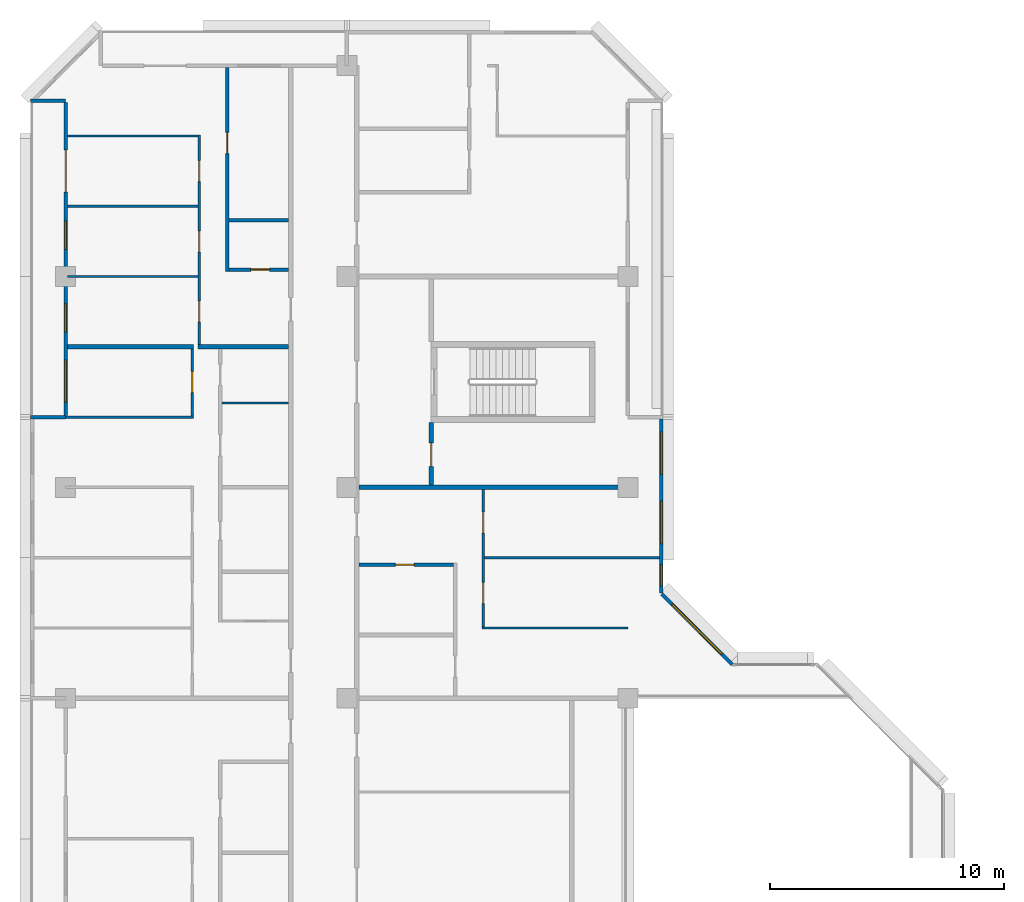
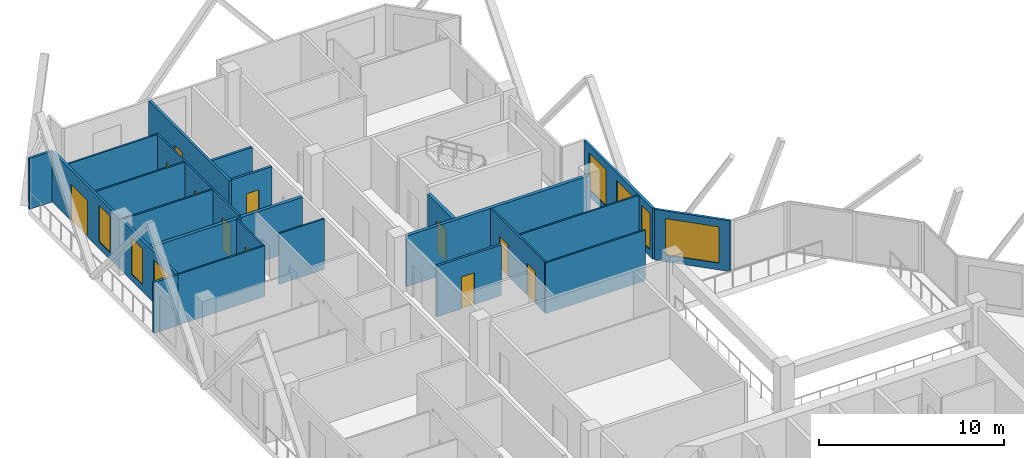
# One storey, part 10 of 16: 23 walls, 11 doors, 7 windows, 18 openings.
"""IFC4 building model written with IfcOpenShell, lengths in metres."""

from ifc_helpers import new_model, si_unit, direction, frame, frame_2d, origin, place, context, subcontext, project, spatial, rectangle, extrude, material, layer, layer_set, type_object, element, fill, save


model = new_model("IFC4")

# Units and contexts
model_context = context("Model", 3, precision=1e-05, world=origin(), true_north=direction((0.0, 1.0)))
body_context = subcontext(model_context, "Body", "Model", "MODEL_VIEW")
ifc_project = project(units=[si_unit("LENGTHUNIT", "METRE"), si_unit("AREAUNIT", "SQUARE_METRE"), si_unit("VOLUMEUNIT", "CUBIC_METRE"), si_unit("PLANEANGLEUNIT", "RADIAN"), si_unit("MASSUNIT", "GRAM", prefix="KILO")], contexts=[model_context])

# Site, building, storey
site_placement = place(None, origin())
site = spatial("IfcSite", under=ifc_project, at=site_placement, CompositionType="ELEMENT")
building_placement = place(site_placement, origin())
building = spatial("IfcBuilding", under=site, at=building_placement, Name="Chenar Terraces", CompositionType="ELEMENT")
storey_placement = place(building_placement, frame((0.0, 0.0, 219.14990234375)))
storey = spatial("IfcBuildingStorey", under=building, at=storey_placement, Name="L51", CompositionType="ELEMENT", Elevation=219.14990234375)

# Wall, opening, door
ifc_material_1 = material(Name="Gypsum board on steel studs with fire boards", Category="steel")
ifc_layer_1 = layer(ifc_material_1, 0.199951171875)
ifc_layer_set_1 = layer_set([ifc_layer_1], Name="Gypsum board on steel studs with fire boards")
wall_type_1 = type_object("IfcWallType", Name="Corridor wall 200", PredefinedType="PARTITIONING", material=ifc_layer_set_1)
wall_1_placement = place(storey_placement, frame((15.60009765625, 45.10009765625, 0.0), z_axis=(0.0, 0.0, 1.0), x_axis=(0.0, 1.0, 0.0)))
wall_1 = element("IfcWall", 1, at=wall_1_placement, inside=storey, type_object=wall_type_1, Name="Partition L51-047", PredefinedType="PARTITIONING", context=body_context, shape_type="SweptSolid", body=[
    extrude(rectangle(XDim=2.6748046875, YDim=0.199951171875, at=frame_2d((1.33740234375, 0.0))), origin(), (0.0, 0.0, 1.0), 3.35009765625),
])
opening_1_placement = place(wall_1_placement, frame((0.800048828125, 0.0, 0.0)))
opening_1 = element("IfcOpeningElement", 2, at=opening_1_placement, cuts=wall_1, Name="Opening DL51-43", PredefinedType="OPENING", context=body_context, shape_type="SweptSolid", body=[
    extrude(rectangle(XDim=1.0, YDim=2.10009765625, at=frame_2d((0.5, 1.050048828125))), frame((0.0, 0.10986328125, 0.0), z_axis=(0.0, -1.0, 0.0), x_axis=(1.0, 0.0, 0.0)), (0.0, 0.0, 1.0), 0.219970703125),
])
ifc_material_2 = material(Name="Steel-framed fire-resisting door leaf", Category="steel")
door_type_1 = type_object("IfcDoorType", Name="Fire door FD60 1000 x 2100", OperationType="SINGLE_SWING_LEFT", PredefinedType="DOOR", material=ifc_material_2)
door_1_placement = place(opening_1_placement, frame((1.0, 0.0, 0.0), z_axis=(0.0, 0.0, 1.0), x_axis=(-1.0, 0.0, 0.0)))
door_1 = element("IfcDoor", 3, at=door_1_placement, inside=storey, type_object=door_type_1, Name="Door DL51-43", OperationType="SINGLE_SWING_RIGHT", OverallHeight=2.10009765625, OverallWidth=1.0, PredefinedType="DOOR", context=body_context, shape_type="SweptSolid", body=[
    extrude(rectangle(XDim=1.0, YDim=2.10009765625, at=frame_2d((0.5, 1.050048828125))), frame((0.0, 0.02490234375, 0.0), z_axis=(0.0, -1.0, 0.0), x_axis=(1.0, 0.0, 0.0)), (0.0, 0.0, 1.0), 0.050048828125),
])
fill(opening_1, door_1)

# Wall, openings, windows
ifc_material_3 = material(Name="Aluminium framed glazing", Category="aluminium")
ifc_layer_2 = layer(ifc_material_3, 0.14990234375)
ifc_layer_set_2 = layer_set([ifc_layer_2], Name="Aluminium framed glazing")
wall_type_2 = type_object("IfcWallType", Name="Glazed flush facade wall 150", PredefinedType="SOLIDWALL", material=ifc_layer_set_2)
wall_2_placement = place(storey_placement, frame((25.425048828125, 40.5, 0.0), z_axis=(0.0, 0.0, 1.0), x_axis=(0.0, 1.0, 0.0)))
wall_2 = element("IfcWall", 4, at=wall_2_placement, inside=storey, type_object=wall_type_2, Name="Glazed flush facade wall", PredefinedType="SOLIDWALL", context=body_context, shape_type="SweptSolid", body=[
    extrude(rectangle(XDim=7.425048828125, YDim=0.14990234375, at=frame_2d((3.71240234375, 0.0))), origin(), (0.0, 0.0, 1.0), 3.35009765625),
])
opening_2_placement = place(wall_2_placement, frame((0.300048828125, 0.0, 0.449951171875)))
opening_2 = element("IfcOpeningElement", 5, at=opening_2_placement, cuts=wall_2, Name="Opening W90x240", PredefinedType="OPENING", context=body_context, shape_type="SweptSolid", body=[
    extrude(rectangle(XDim=0.89990234375, YDim=2.39990234375, at=frame_2d((0.449951171875, 1.199951171875))), frame((0.0, 0.0849609375, 0.0), z_axis=(0.0, -1.0, 0.0), x_axis=(1.0, 0.0, 0.0)), (0.0, 0.0, 1.0), 0.169921875),
])
opening_3_placement = place(wall_2_placement, frame((2.10009765625, 0.0, 0.449951171875)))
opening_3 = element("IfcOpeningElement", 6, at=opening_3_placement, cuts=wall_2, Name="Opening W180x240", PredefinedType="OPENING", context=body_context, shape_type="SweptSolid", body=[
    extrude(rectangle(XDim=1.800048828125, YDim=2.39990234375, at=frame_2d((0.89990234375, 1.199951171875))), frame((0.0, 0.0849609375, 0.0), z_axis=(0.0, -1.0, 0.0), x_axis=(1.0, 0.0, 0.0)), (0.0, 0.0, 1.0), 0.169921875),
])
opening_4_placement = place(wall_2_placement, frame((5.0625, 0.0, 0.449951171875)))
opening_4 = element("IfcOpeningElement", 7, at=opening_4_placement, cuts=wall_2, Name="Opening W180x240", PredefinedType="OPENING", context=body_context, shape_type="SweptSolid", body=[
    extrude(rectangle(XDim=1.800048828125, YDim=2.39990234375, at=frame_2d((0.89990234375, 1.199951171875))), frame((0.0, 0.0849609375, 0.0), z_axis=(0.0, -1.0, 0.0), x_axis=(1.0, 0.0, 0.0)), (0.0, 0.0, 1.0), 0.169921875),
])
ifc_material_4 = material(Name="Low emissivity double glazing, aluminium frame", Category="aluminium")
window_type_1 = type_object("IfcWindowType", Name="Fixed light 1800 x 2400", PartitioningType="SINGLE_PANEL", PredefinedType="WINDOW", material=ifc_material_4)
window_1_placement = place(opening_3_placement, origin())
window_1 = element("IfcWindow", 8, at=window_1_placement, inside=storey, type_object=window_type_1, Name="Window", OverallHeight=2.39990234375, OverallWidth=1.800048828125, PartitioningType="SINGLE_PANEL", PredefinedType="WINDOW", context=body_context, shape_type="SweptSolid", body=[
    extrude(rectangle(XDim=1.800048828125, YDim=2.39990234375, at=frame_2d((0.89990234375, 1.199951171875))), frame((0.0, 0.030029296875, 0.0), z_axis=(0.0, -1.0, 0.0), x_axis=(1.0, 0.0, 0.0)), (0.0, 0.0, 1.0), 0.06005859375),
])
fill(opening_3, window_1)
window_2_placement = place(opening_4_placement, origin())
window_2 = element("IfcWindow", 9, at=window_2_placement, inside=storey, type_object=window_type_1, Name="Window", OverallHeight=2.39990234375, OverallWidth=1.800048828125, PartitioningType="SINGLE_PANEL", PredefinedType="WINDOW", context=body_context, shape_type="SweptSolid", body=[
    extrude(rectangle(XDim=1.800048828125, YDim=2.39990234375, at=frame_2d((0.89990234375, 1.199951171875))), frame((0.0, 0.030029296875, 0.0), z_axis=(0.0, -1.0, 0.0), x_axis=(1.0, 0.0, 0.0)), (0.0, 0.0, 1.0), 0.06005859375),
])
fill(opening_4, window_2)
ifc_material_5 = material(Name="Low emissivity double glazing, aluminium frame", Category="aluminium")
window_type_2 = type_object("IfcWindowType", Name="Fixed light 900 x 2400", PartitioningType="SINGLE_PANEL", PredefinedType="WINDOW", material=ifc_material_5)
window_3_placement = place(opening_2_placement, origin())
window_3 = element("IfcWindow", 10, at=window_3_placement, inside=storey, type_object=window_type_2, Name="Window", OverallHeight=2.39990234375, OverallWidth=0.89990234375, PartitioningType="SINGLE_PANEL", PredefinedType="WINDOW", context=body_context, shape_type="SweptSolid", body=[
    extrude(rectangle(XDim=0.89990234375, YDim=2.39990234375, at=frame_2d((0.449951171875, 1.199951171875))), frame((0.0, 0.030029296875, 0.0), z_axis=(0.0, -1.0, 0.0), x_axis=(1.0, 0.0, 0.0)), (0.0, 0.0, 1.0), 0.06005859375),
])
fill(opening_2, window_3)

# Wall, openings, windows, door
ifc_material_6 = material(Name="Aluminium framed glazing", Category="aluminium")
ifc_layer_3 = layer(ifc_material_6, 0.14990234375)
ifc_layer_set_3 = layer_set([ifc_layer_3], Name="Aluminium framed glazing")
wall_type_3 = type_object("IfcWallType", Name="Glazed loggia back wall 150", PredefinedType="SOLIDWALL", material=ifc_layer_set_3)
wall_3_placement = place(storey_placement, frame((0.0, 61.425048828125, 0.0), z_axis=(0.0, 0.0, 1.0), x_axis=(0.0, -1.0, 0.0)))
wall_3 = element("IfcWall", 11, at=wall_3_placement, inside=storey, type_object=wall_type_3, Name="Glazed loggia back wall", PredefinedType="SOLIDWALL", context=body_context, shape_type="SweptSolid", body=[
    extrude(rectangle(XDim=13.35009765625, YDim=0.14990234375, at=frame_2d((6.675048828125, 0.0))), origin(), (0.0, 0.0, 1.0), 3.35009765625),
])
opening_5_placement = place(wall_3_placement, frame((2.02490234375, 0.0, 0.0)))
opening_5 = element("IfcOpeningElement", 12, at=opening_5_placement, cuts=wall_3, Name="Opening DL51-G4", PredefinedType="OPENING", context=body_context, shape_type="SweptSolid", body=[
    extrude(rectangle(XDim=1.800048828125, YDim=2.39990234375, at=frame_2d((0.89990234375, 1.199951171875))), frame((0.0, 0.0849609375, 0.0), z_axis=(0.0, -1.0, 0.0), x_axis=(1.0, 0.0, 0.0)), (0.0, 0.0, 1.0), 0.169921875),
])
opening_6_placement = place(wall_3_placement, frame((5.0625, 0.0, 0.449951171875)))
opening_6 = element("IfcOpeningElement", 13, at=opening_6_placement, cuts=wall_3, Name="Opening W120x240", PredefinedType="OPENING", context=body_context, shape_type="SweptSolid", body=[
    extrude(rectangle(XDim=1.199951171875, YDim=2.39990234375, at=frame_2d((0.60009765625, 1.199951171875))), frame((0.0, 0.0849609375, 0.0), z_axis=(0.0, -1.0, 0.0), x_axis=(1.0, 0.0, 0.0)), (0.0, 0.0, 1.0), 0.169921875),
])
opening_7_placement = place(wall_3_placement, frame((8.58740234375, 0.0, 0.449951171875)))
opening_7 = element("IfcOpeningElement", 14, at=opening_7_placement, cuts=wall_3, Name="Opening W120x240", PredefinedType="OPENING", context=body_context, shape_type="SweptSolid", body=[
    extrude(rectangle(XDim=1.199951171875, YDim=2.39990234375, at=frame_2d((0.60009765625, 1.199951171875))), frame((0.0, 0.0849609375, 0.0), z_axis=(0.0, -1.0, 0.0), x_axis=(1.0, 0.0, 0.0)), (0.0, 0.0, 1.0), 0.169921875),
])
opening_8_placement = place(wall_3_placement, frame((10.987548828125, 0.0, 0.449951171875)))
opening_8 = element("IfcOpeningElement", 15, at=opening_8_placement, cuts=wall_3, Name="Opening W180x240", PredefinedType="OPENING", context=body_context, shape_type="SweptSolid", body=[
    extrude(rectangle(XDim=1.800048828125, YDim=2.39990234375, at=frame_2d((0.89990234375, 1.199951171875))), frame((0.0, 0.0849609375, 0.0), z_axis=(0.0, -1.0, 0.0), x_axis=(1.0, 0.0, 0.0)), (0.0, 0.0, 1.0), 0.169921875),
])
ifc_material_7 = material(Name="Low emissivity double glazing, aluminium frame", Category="aluminium")
window_type_3 = type_object("IfcWindowType", Name="Fixed light 1200 x 2400", PartitioningType="SINGLE_PANEL", PredefinedType="WINDOW", material=ifc_material_7)
window_4_placement = place(opening_6_placement, origin())
window_4 = element("IfcWindow", 16, at=window_4_placement, inside=storey, type_object=window_type_3, Name="Window", OverallHeight=2.39990234375, OverallWidth=1.199951171875, PartitioningType="SINGLE_PANEL", PredefinedType="WINDOW", context=body_context, shape_type="SweptSolid", body=[
    extrude(rectangle(XDim=1.199951171875, YDim=2.39990234375, at=frame_2d((0.60009765625, 1.199951171875))), frame((0.0, 0.030029296875, 0.0), z_axis=(0.0, -1.0, 0.0), x_axis=(1.0, 0.0, 0.0)), (0.0, 0.0, 1.0), 0.06005859375),
])
fill(opening_6, window_4)
window_5_placement = place(opening_7_placement, origin())
window_5 = element("IfcWindow", 17, at=window_5_placement, inside=storey, type_object=window_type_3, Name="Window", OverallHeight=2.39990234375, OverallWidth=1.199951171875, PartitioningType="SINGLE_PANEL", PredefinedType="WINDOW", context=body_context, shape_type="SweptSolid", body=[
    extrude(rectangle(XDim=1.199951171875, YDim=2.39990234375, at=frame_2d((0.60009765625, 1.199951171875))), frame((0.0, 0.030029296875, 0.0), z_axis=(0.0, -1.0, 0.0), x_axis=(1.0, 0.0, 0.0)), (0.0, 0.0, 1.0), 0.06005859375),
])
fill(opening_7, window_5)
window_6_placement = place(opening_8_placement, origin())
window_6 = element("IfcWindow", 18, at=window_6_placement, inside=storey, type_object=window_type_1, Name="Window", OverallHeight=2.39990234375, OverallWidth=1.800048828125, PartitioningType="SINGLE_PANEL", PredefinedType="WINDOW", context=body_context, shape_type="SweptSolid", body=[
    extrude(rectangle(XDim=1.800048828125, YDim=2.39990234375, at=frame_2d((0.89990234375, 1.199951171875))), frame((0.0, 0.030029296875, 0.0), z_axis=(0.0, -1.0, 0.0), x_axis=(1.0, 0.0, 0.0)), (0.0, 0.0, 1.0), 0.06005859375),
])
fill(opening_8, window_6)
ifc_material_8 = material(Name="Low emissivity double glazing, aluminium frame", Category="aluminium")
door_type_2 = type_object("IfcDoorType", Name="Loggia glazed double door 1800 x 2400", OperationType="DOUBLE_DOOR_SINGLE_SWING", PredefinedType="DOOR", material=ifc_material_8)
door_2_placement = place(opening_5_placement, frame((1.800048828125, 0.0, 0.0), z_axis=(0.0, 0.0, 1.0), x_axis=(-1.0, 0.0, 0.0)))
door_2 = element("IfcDoor", 19, at=door_2_placement, inside=storey, type_object=door_type_2, Name="Loggia glazed door", OperationType="DOUBLE_DOOR_SINGLE_SWING", OverallHeight=2.39990234375, OverallWidth=1.800048828125, PredefinedType="DOOR", context=body_context, shape_type="SweptSolid", body=[
    extrude(rectangle(XDim=1.800048828125, YDim=2.39990234375, at=frame_2d((0.89990234375, 1.199951171875))), frame((0.0, 0.02490234375, 0.0), z_axis=(0.0, -1.0, 0.0), x_axis=(1.0, 0.0, 0.0)), (0.0, 0.0, 1.0), 0.050048828125),
])
fill(opening_5, door_2)

# Walls
ifc_material_9 = material(Name="Gypsum board on steel studs", Category="steel")
ifc_layer_4 = layer(ifc_material_9, 0.10009765625)
ifc_layer_set_4 = layer_set([ifc_layer_4], Name="Gypsum board on steel studs")
wall_type_4 = type_object("IfcWallType", Name="Gypsum partition 100", PredefinedType="PARTITIONING", material=ifc_layer_set_4)
wall_4_placement = place(storey_placement, frame((0.0, 48.0, 0.0), z_axis=(0.0, 0.0, 1.0), x_axis=(1.0, 0.0, 0.0)))
element("IfcWall", 20, at=wall_4_placement, inside=storey, type_object=wall_type_4, Name="Partition L51-007", PredefinedType="PARTITIONING", context=body_context, shape_type="SweptSolid", body=[
    extrude(rectangle(XDim=5.449951171875, YDim=0.10009765625, at=frame_2d((2.72509765625, 0.0))), origin(), (0.0, 0.0, 1.0), 3.35009765625),
])
for number, where, z_axis, x_axis, name in (
    (21, (0.073974609375, 54.0, 0.0), (0.0, 0.0, 1.0), (1.0, 0.0, 0.0), "Partition L51-011"),
    (22, (0.073974609375, 57.0, 0.0), (0.0, 0.0, 1.0), (1.0, 0.0, 0.0), "Partition L51-012"),
    (23, (0.073974609375, 60.0, 0.0), (0.0, 0.0, 1.0), (1.0, 0.0, 0.0), "Partition L51-013"),
):
    element("IfcWall", number, at=place(storey_placement, frame(where, z_axis=z_axis, x_axis=x_axis)), inside=storey, type_object=wall_type_4, Name=name, PredefinedType="PARTITIONING", context=body_context, shape_type="SweptSolid", body=[
        extrude(rectangle(XDim=5.575927734375, YDim=0.10009765625, at=frame_2d((2.7880859375, 0.0))), origin(), (0.0, 0.0, 1.0), 3.35009765625),
    ])

# Wall, opening, door
wall_5_placement = place(storey_placement, frame((5.39990234375, 48.050048828125, 0.0), z_axis=(0.0, 0.0, 1.0), x_axis=(0.0, 1.0, 0.0)))
wall_5 = element("IfcWall", 24, at=wall_5_placement, inside=storey, type_object=wall_type_4, Name="Partition L51-017", PredefinedType="PARTITIONING", context=body_context, shape_type="SweptSolid", body=[
    extrude(rectangle(XDim=2.849853515625, YDim=0.10009765625, at=frame_2d((1.4248046875, 0.0))), origin(), (0.0, 0.0, 1.0), 3.35009765625),
])
opening_9_placement = place(wall_5_placement, frame((1.0, 0.0, 0.0)))
opening_9 = element("IfcOpeningElement", 25, at=opening_9_placement, cuts=wall_5, Name="Opening DL51-31", PredefinedType="OPENING", context=body_context, shape_type="SweptSolid", body=[
    extrude(rectangle(XDim=0.89990234375, YDim=2.10009765625, at=frame_2d((0.449951171875, 1.050048828125))), frame((0.0, 0.06005859375, 0.0), z_axis=(0.0, -1.0, 0.0), x_axis=(1.0, 0.0, 0.0)), (0.0, 0.0, 1.0), 0.1201171875),
])
ifc_material_10 = material(Name="Veneered timber door leaf", Category="wood")
door_type_3 = type_object("IfcDoorType", Name="Door 900 x 2100", OperationType="SINGLE_SWING_LEFT", PredefinedType="DOOR", material=ifc_material_10)
door_3_placement = place(opening_9_placement, origin())
door_3 = element("IfcDoor", 26, at=door_3_placement, inside=storey, type_object=door_type_3, Name="Door DL51-31", OperationType="SINGLE_SWING_RIGHT", OverallHeight=2.10009765625, OverallWidth=0.89990234375, PredefinedType="DOOR", context=body_context, shape_type="SweptSolid", body=[
    extrude(rectangle(XDim=0.89990234375, YDim=2.10009765625, at=frame_2d((0.449951171875, 1.050048828125))), frame((0.0, 0.02490234375, 0.0), z_axis=(0.0, -1.0, 0.0), x_axis=(1.0, 0.0, 0.0)), (0.0, 0.0, 1.0), 0.050048828125),
])
fill(opening_9, door_3)

# Wall, openings, doors
wall_6_placement = place(storey_placement, frame((5.699951171875, 51.10009765625, 0.0), z_axis=(0.0, 0.0, 1.0), x_axis=(0.0, 1.0, 0.0)))
wall_6 = element("IfcWall", 27, at=wall_6_placement, inside=storey, type_object=wall_type_4, Name="Partition L51-019", PredefinedType="PARTITIONING", context=body_context, shape_type="SweptSolid", body=[
    extrude(rectangle(XDim=8.949951171875, YDim=0.10009765625, at=frame_2d((4.47509765625, 0.0))), origin(), (0.0, 0.0, 1.0), 3.35009765625),
])
opening_10_placement = place(wall_6_placement, frame((0.949951171875, 0.0, 0.0)))
opening_10 = element("IfcOpeningElement", 28, at=opening_10_placement, cuts=wall_6, Name="Opening DL51-33", PredefinedType="OPENING", context=body_context, shape_type="SweptSolid", body=[
    extrude(rectangle(XDim=0.89990234375, YDim=2.10009765625, at=frame_2d((0.449951171875, 1.050048828125))), frame((0.0, 0.06005859375, 0.0), z_axis=(0.0, -1.0, 0.0), x_axis=(1.0, 0.0, 0.0)), (0.0, 0.0, 1.0), 0.1201171875),
])
opening_11_placement = place(wall_6_placement, frame((3.949951171875, 0.0, 0.0)))
opening_11 = element("IfcOpeningElement", 29, at=opening_11_placement, cuts=wall_6, Name="Opening DL51-34", PredefinedType="OPENING", context=body_context, shape_type="SweptSolid", body=[
    extrude(rectangle(XDim=0.89990234375, YDim=2.10009765625, at=frame_2d((0.449951171875, 1.050048828125))), frame((0.0, 0.06005859375, 0.0), z_axis=(0.0, -1.0, 0.0), x_axis=(1.0, 0.0, 0.0)), (0.0, 0.0, 1.0), 0.1201171875),
])
opening_12_placement = place(wall_6_placement, frame((6.949951171875, 0.0, 0.0)))
opening_12 = element("IfcOpeningElement", 30, at=opening_12_placement, cuts=wall_6, Name="Opening DL51-37", PredefinedType="OPENING", context=body_context, shape_type="SweptSolid", body=[
    extrude(rectangle(XDim=0.89990234375, YDim=2.10009765625, at=frame_2d((0.449951171875, 1.050048828125))), frame((0.0, 0.06005859375, 0.0), z_axis=(0.0, -1.0, 0.0), x_axis=(1.0, 0.0, 0.0)), (0.0, 0.0, 1.0), 0.1201171875),
])
door_4_placement = place(opening_10_placement, origin())
door_4 = element("IfcDoor", 31, at=door_4_placement, inside=storey, type_object=door_type_3, Name="Door DL51-33", OperationType="SINGLE_SWING_RIGHT", OverallHeight=2.10009765625, OverallWidth=0.89990234375, PredefinedType="DOOR", context=body_context, shape_type="SweptSolid", body=[
    extrude(rectangle(XDim=0.89990234375, YDim=2.10009765625, at=frame_2d((0.449951171875, 1.050048828125))), frame((0.0, 0.02490234375, 0.0), z_axis=(0.0, -1.0, 0.0), x_axis=(1.0, 0.0, 0.0)), (0.0, 0.0, 1.0), 0.050048828125),
])
fill(opening_10, door_4)
door_5_placement = place(opening_11_placement, origin())
door_5 = element("IfcDoor", 32, at=door_5_placement, inside=storey, type_object=door_type_3, Name="Door DL51-34", OperationType="SINGLE_SWING_RIGHT", OverallHeight=2.10009765625, OverallWidth=0.89990234375, PredefinedType="DOOR", context=body_context, shape_type="SweptSolid", body=[
    extrude(rectangle(XDim=0.89990234375, YDim=2.10009765625, at=frame_2d((0.449951171875, 1.050048828125))), frame((0.0, 0.02490234375, 0.0), z_axis=(0.0, -1.0, 0.0), x_axis=(1.0, 0.0, 0.0)), (0.0, 0.0, 1.0), 0.050048828125),
])
fill(opening_11, door_5)
door_6_placement = place(opening_12_placement, origin())
door_6 = element("IfcDoor", 33, at=door_6_placement, inside=storey, type_object=door_type_3, Name="Door DL51-37", OperationType="SINGLE_SWING_RIGHT", OverallHeight=2.10009765625, OverallWidth=0.89990234375, PredefinedType="DOOR", context=body_context, shape_type="SweptSolid", body=[
    extrude(rectangle(XDim=0.89990234375, YDim=2.10009765625, at=frame_2d((0.449951171875, 1.050048828125))), frame((0.0, 0.02490234375, 0.0), z_axis=(0.0, -1.0, 0.0), x_axis=(1.0, 0.0, 0.0)), (0.0, 0.0, 1.0), 0.050048828125),
])
fill(opening_12, door_6)

# Walls
wall_7_placement = place(storey_placement, frame((6.675048828125, 48.60009765625, 0.0), z_axis=(0.0, 0.0, 1.0), x_axis=(1.0, 0.0, 0.0)))
element("IfcWall", 34, at=wall_7_placement, inside=storey, type_object=wall_type_4, Name="Partition L51-027", PredefinedType="PARTITIONING", context=body_context, shape_type="SweptSolid", body=[
    extrude(rectangle(XDim=2.824951171875, YDim=0.10009765625, at=frame_2d((1.41259765625, 0.0))), origin(), (0.0, 0.0, 1.0), 3.35009765625),
])
wall_8_placement = place(storey_placement, frame((17.77490234375, 39.0, 0.0), z_axis=(0.0, 0.0, 1.0), x_axis=(1.0, 0.0, 0.0)))
element("IfcWall", 35, at=wall_8_placement, inside=storey, type_object=wall_type_4, Name="Partition L51-051", PredefinedType="PARTITIONING", context=body_context, shape_type="SweptSolid", body=[
    extrude(rectangle(XDim=6.22509765625, YDim=0.10009765625, at=frame_2d((3.112548828125, 0.0))), origin(), (0.0, 0.0, 1.0), 3.35009765625),
])

# Wall, openings, doors
wall_9_placement = place(storey_placement, frame((17.824951171875, 39.050048828125, 0.0), z_axis=(0.0, 0.0, 1.0), x_axis=(0.0, 1.0, 0.0)))
wall_9 = element("IfcWall", 36, at=wall_9_placement, inside=storey, type_object=wall_type_4, Name="Partition L51-052", PredefinedType="PARTITIONING", context=body_context, shape_type="SweptSolid", body=[
    extrude(rectangle(XDim=5.849853515625, YDim=0.10009765625, at=frame_2d((2.9248046875, 0.0))), origin(), (0.0, 0.0, 1.0), 3.35009765625),
])
opening_13_placement = place(wall_9_placement, frame((1.0, 0.0, 0.0)))
opening_13 = element("IfcOpeningElement", 37, at=opening_13_placement, cuts=wall_9, Name="Opening DL51-15", PredefinedType="OPENING", context=body_context, shape_type="SweptSolid", body=[
    extrude(rectangle(XDim=0.89990234375, YDim=2.10009765625, at=frame_2d((0.449951171875, 1.050048828125))), frame((0.0, 0.06005859375, 0.0), z_axis=(0.0, -1.0, 0.0), x_axis=(1.0, 0.0, 0.0)), (0.0, 0.0, 1.0), 0.1201171875),
])
opening_14_placement = place(wall_9_placement, frame((4.0, 0.0, 0.0)))
opening_14 = element("IfcOpeningElement", 38, at=opening_14_placement, cuts=wall_9, Name="Opening DL51-16", PredefinedType="OPENING", context=body_context, shape_type="SweptSolid", body=[
    extrude(rectangle(XDim=0.89990234375, YDim=2.10009765625, at=frame_2d((0.449951171875, 1.050048828125))), frame((0.0, 0.06005859375, 0.0), z_axis=(0.0, -1.0, 0.0), x_axis=(1.0, 0.0, 0.0)), (0.0, 0.0, 1.0), 0.1201171875),
])
door_7_placement = place(opening_13_placement, frame((0.89990234375, 0.0, 0.0), z_axis=(0.0, 0.0, 1.0), x_axis=(-1.0, 0.0, 0.0)))
door_7 = element("IfcDoor", 39, at=door_7_placement, inside=storey, type_object=door_type_3, Name="Door DL51-15", OperationType="SINGLE_SWING_LEFT", OverallHeight=2.10009765625, OverallWidth=0.89990234375, PredefinedType="DOOR", context=body_context, shape_type="SweptSolid", body=[
    extrude(rectangle(XDim=0.89990234375, YDim=2.10009765625, at=frame_2d((0.449951171875, 1.050048828125))), frame((0.0, 0.02490234375, 0.0), z_axis=(0.0, -1.0, 0.0), x_axis=(1.0, 0.0, 0.0)), (0.0, 0.0, 1.0), 0.050048828125),
])
fill(opening_13, door_7)
door_8_placement = place(opening_14_placement, frame((0.89990234375, 0.0, 0.0), z_axis=(0.0, 0.0, 1.0), x_axis=(-1.0, 0.0, 0.0)))
door_8 = element("IfcDoor", 40, at=door_8_placement, inside=storey, type_object=door_type_3, Name="Door DL51-16", OperationType="SINGLE_SWING_LEFT", OverallHeight=2.10009765625, OverallWidth=0.89990234375, PredefinedType="DOOR", context=body_context, shape_type="SweptSolid", body=[
    extrude(rectangle(XDim=0.89990234375, YDim=2.10009765625, at=frame_2d((0.449951171875, 1.050048828125))), frame((0.0, 0.02490234375, 0.0), z_axis=(0.0, -1.0, 0.0), x_axis=(1.0, 0.0, 0.0)), (0.0, 0.0, 1.0), 0.050048828125),
])
fill(opening_14, door_8)

# Walls
wall_10_placement = place(storey_placement, frame((17.875, 42.0, 0.0), z_axis=(0.0, 0.0, 1.0), x_axis=(1.0, 0.0, 0.0)))
element("IfcWall", 41, at=wall_10_placement, inside=storey, type_object=wall_type_4, Name="Partition L51-053", PredefinedType="PARTITIONING", context=body_context, shape_type="SweptSolid", body=[
    extrude(rectangle(XDim=7.47607421875, YDim=0.10009765625, at=frame_2d((3.738037109375, 0.0))), origin(), (0.0, 0.0, 1.0), 3.35009765625),
])
ifc_material_11 = material(Name="Terracotta cladding on insulated backing", Category="masonry")
ifc_layer_5 = layer(ifc_material_11, 0.14990234375)
ifc_layer_set_5 = layer_set([ifc_layer_5], Name="Terracotta cladding on insulated backing")
wall_type_5 = type_object("IfcWallType", Name="Loggia return wall 150", PredefinedType="SOLIDWALL", material=ifc_layer_set_5)
for number, where, z_axis, x_axis, name in (
    (42, (-1.5, 61.5, 0.0), (0.0, 0.0, 1.0), (1.0, 0.0, 0.0), "Loggia return wall"),
    (43, (-1.5, 48.0, 0.0), (0.0, 0.0, 1.0), (1.0, 0.0, 0.0), "Loggia return wall"),
):
    element("IfcWall", number, at=place(storey_placement, frame(where, z_axis=z_axis, x_axis=x_axis)), inside=storey, type_object=wall_type_5, Name=name, PredefinedType="SOLIDWALL", context=body_context, shape_type="SweptSolid", body=[
        extrude(rectangle(XDim=1.5, YDim=0.14990234375, at=frame_2d((0.75, 0.0))), origin(), (0.0, 0.0, 1.0), 3.35009765625),
    ])

# Wall, opening, window
ifc_material_12 = material(Name="Terracotta cladding on insulated backing", Category="masonry")
ifc_layer_6 = layer(ifc_material_12, 0.14990234375)
ifc_layer_set_6 = layer_set([ifc_layer_6], Name="Terracotta cladding on insulated backing")
wall_type_6 = type_object("IfcWallType", Name="Terracotta rainscreen wall 150", PredefinedType="SOLIDWALL", material=ifc_layer_set_6)
wall_11_placement = place(storey_placement, frame((28.447021484375, 37.447021484375, 0.0), z_axis=(0.0, 0.0, 1.0), x_axis=(-0.707106781187, 0.707106781187, 0.0)))
wall_11 = element("IfcWall", 44, at=wall_11_placement, inside=storey, type_object=wall_type_6, Name="Terracotta rainscreen wall", PredefinedType="SOLIDWALL", context=body_context, shape_type="SweptSolid", body=[
    extrude(rectangle(XDim=4.24267578125, YDim=0.14990234375, at=frame_2d((2.121337890625, 0.0))), origin(), (0.0, 0.0, 1.0), 3.35009765625),
])
opening_15_placement = place(wall_11_placement, frame((0.621337890625, 0.0, 0.449951171875)))
opening_15 = element("IfcOpeningElement", 45, at=opening_15_placement, cuts=wall_11, Name="Opening W300x240", PredefinedType="OPENING", context=body_context, shape_type="SweptSolid", body=[
    extrude(rectangle(XDim=3.0, YDim=2.39990234375, at=frame_2d((1.5, 1.199951171875))), frame((0.0, 0.0849609375, 0.0), z_axis=(0.0, -1.0, 0.0), x_axis=(1.0, 0.0, 0.0)), (0.0, 0.0, 1.0), 0.169921875),
])
ifc_material_13 = material(Name="Low emissivity double glazing, aluminium frame", Category="aluminium")
window_type_4 = type_object("IfcWindowType", Name="Fixed light 3000 x 2400", PartitioningType="SINGLE_PANEL", PredefinedType="WINDOW", material=ifc_material_13)
window_7_placement = place(opening_15_placement, origin())
window_7 = element("IfcWindow", 46, at=window_7_placement, inside=storey, type_object=window_type_4, Name="Window", OverallHeight=2.39990234375, OverallWidth=3.0, PartitioningType="SINGLE_PANEL", PredefinedType="WINDOW", context=body_context, shape_type="SweptSolid", body=[
    extrude(rectangle(XDim=3.0, YDim=2.39990234375, at=frame_2d((1.5, 1.199951171875))), frame((0.0, 0.030029296875, 0.0), z_axis=(0.0, -1.0, 0.0), x_axis=(1.0, 0.0, 0.0)), (0.0, 0.0, 1.0), 0.06005859375),
])
fill(opening_15, window_7)

# Walls
ifc_material_14 = material(Name="Twin gypsum board on steel studs with mineral wool", Category="steel")
ifc_layer_7 = layer(ifc_material_14, 0.199951171875)
ifc_layer_set_7 = layer_set([ifc_layer_7], Name="Twin gypsum board on steel studs with mineral wool")
wall_type_7 = type_object("IfcWallType", Name="Unit demising wall 200", PredefinedType="PARTITIONING", material=ifc_layer_set_7)
wall_12_placement = place(storey_placement, frame((0.073974609375, 51.0, 0.0), z_axis=(0.0, 0.0, 1.0), x_axis=(1.0, 0.0, 0.0)))
element("IfcWall", 47, at=wall_12_placement, inside=storey, type_object=wall_type_7, Name="Partition L51-010", PredefinedType="PARTITIONING", context=body_context, shape_type="SweptSolid", body=[
    extrude(rectangle(XDim=5.3759765625, YDim=0.199951171875, at=frame_2d((2.68798828125, 0.0))), origin(), (0.0, 0.0, 1.0), 3.35009765625),
])
wall_13_placement = place(storey_placement, frame((5.64990234375, 51.0, 0.0), z_axis=(0.0, 0.0, 1.0), x_axis=(1.0, 0.0, 0.0)))
element("IfcWall", 48, at=wall_13_placement, inside=storey, type_object=wall_type_7, Name="Partition L51-018", PredefinedType="PARTITIONING", context=body_context, shape_type="SweptSolid", body=[
    extrude(rectangle(XDim=3.85009765625, YDim=0.199951171875, at=frame_2d((1.925048828125, 0.0))), origin(), (0.0, 0.0, 1.0), 3.35009765625),
])
wall_14_placement = place(storey_placement, frame((12.52490234375, 45.0, 0.0), z_axis=(0.0, 0.0, 1.0), x_axis=(1.0, 0.0, 0.0)))
element("IfcWall", 49, at=wall_14_placement, inside=storey, type_object=wall_type_7, Name="Partition L51-042", PredefinedType="PARTITIONING", context=body_context, shape_type="SweptSolid", body=[
    extrude(rectangle(XDim=11.47509765625, YDim=0.199951171875, at=frame_2d((5.737548828125, 0.0))), origin(), (0.0, 0.0, 1.0), 3.35009765625),
])

# Wall, opening, door
ifc_material_15 = material(Name="Moisture-resistant gypsum board on steel studs", Category="steel")
ifc_layer_8 = layer(ifc_material_15, 0.14990234375)
ifc_layer_set_8 = layer_set([ifc_layer_8], Name="Moisture-resistant gypsum board on steel studs")
wall_type_8 = type_object("IfcWallType", Name="Wet-room partition 150", PredefinedType="PARTITIONING", material=ifc_layer_set_8)
wall_15_placement = place(storey_placement, frame((6.89990234375, 54.22509765625, 0.0), z_axis=(0.0, 0.0, 1.0), x_axis=(0.0, 1.0, 0.0)))
wall_15 = element("IfcWall", 50, at=wall_15_placement, inside=storey, type_object=wall_type_8, Name="Partition L51-028", PredefinedType="PARTITIONING", context=body_context, shape_type="SweptSolid", body=[
    extrude(rectangle(XDim=8.700927734375, YDim=0.14990234375, at=frame_2d((4.3505859375, 0.0))), origin(), (0.0, 0.0, 1.0), 3.35009765625),
])
opening_16_placement = place(wall_15_placement, frame((5.02490234375, 0.0, 0.0)))
opening_16 = element("IfcOpeningElement", 51, at=opening_16_placement, cuts=wall_15, Name="Opening DL51-35", PredefinedType="OPENING", context=body_context, shape_type="SweptSolid", body=[
    extrude(rectangle(XDim=0.89990234375, YDim=2.10009765625, at=frame_2d((0.449951171875, 1.050048828125))), frame((0.0, 0.0849609375, 0.0), z_axis=(0.0, -1.0, 0.0), x_axis=(1.0, 0.0, 0.0)), (0.0, 0.0, 1.0), 0.169921875),
])
door_9_placement = place(opening_16_placement, frame((0.89990234375, 0.0, 0.0), z_axis=(0.0, 0.0, 1.0), x_axis=(-1.0, 0.0, 0.0)))
door_9 = element("IfcDoor", 52, at=door_9_placement, inside=storey, type_object=door_type_3, Name="Door DL51-35", OperationType="SINGLE_SWING_LEFT", OverallHeight=2.10009765625, OverallWidth=0.89990234375, PredefinedType="DOOR", context=body_context, shape_type="SweptSolid", body=[
    extrude(rectangle(XDim=0.89990234375, YDim=2.10009765625, at=frame_2d((0.449951171875, 1.050048828125))), frame((0.0, 0.02490234375, 0.0), z_axis=(0.0, -1.0, 0.0), x_axis=(1.0, 0.0, 0.0)), (0.0, 0.0, 1.0), 0.050048828125),
])
fill(opening_16, door_9)

wall_16_placement = place(storey_placement, frame((6.97509765625, 54.300048828125, 0.0), z_axis=(0.0, 0.0, 1.0), x_axis=(1.0, 0.0, 0.0)))
wall_16 = element("IfcWall", 53, at=wall_16_placement, inside=storey, type_object=wall_type_8, Name="Partition L51-029", PredefinedType="PARTITIONING", context=body_context, shape_type="SweptSolid", body=[
    extrude(rectangle(XDim=2.52490234375, YDim=0.14990234375, at=frame_2d((1.262451171875, 0.0))), origin(), (0.0, 0.0, 1.0), 3.35009765625),
])
opening_17_placement = place(wall_16_placement, frame((0.925048828125, 0.0, 0.0)))
opening_17 = element("IfcOpeningElement", 54, at=opening_17_placement, cuts=wall_16, Name="Opening DL51-32", PredefinedType="OPENING", context=body_context, shape_type="SweptSolid", body=[
    extrude(rectangle(XDim=0.800048828125, YDim=2.10009765625, at=frame_2d((0.39990234375, 1.050048828125))), frame((0.0, 0.0849609375, 0.0), z_axis=(0.0, -1.0, 0.0), x_axis=(1.0, 0.0, 0.0)), (0.0, 0.0, 1.0), 0.169921875),
])
ifc_material_16 = material(Name="Veneered timber door leaf", Category="wood")
door_type_4 = type_object("IfcDoorType", Name="Door 800 x 2100", OperationType="SINGLE_SWING_LEFT", PredefinedType="DOOR", material=ifc_material_16)
door_10_placement = place(opening_17_placement, origin())
door_10 = element("IfcDoor", 55, at=door_10_placement, inside=storey, type_object=door_type_4, Name="Door DL51-32", OperationType="SINGLE_SWING_RIGHT", OverallHeight=2.10009765625, OverallWidth=0.800048828125, PredefinedType="DOOR", context=body_context, shape_type="SweptSolid", body=[
    extrude(rectangle(XDim=0.800048828125, YDim=2.10009765625, at=frame_2d((0.39990234375, 1.050048828125))), frame((0.0, 0.02490234375, 0.0), z_axis=(0.0, -1.0, 0.0), x_axis=(1.0, 0.0, 0.0)), (0.0, 0.0, 1.0), 0.050048828125),
])
fill(opening_17, door_10)

# Wall
wall_17_placement = place(storey_placement, frame((6.97509765625, 56.39990234375, 0.0), z_axis=(0.0, 0.0, 1.0), x_axis=(1.0, 0.0, 0.0)))
element("IfcWall", 56, at=wall_17_placement, inside=storey, type_object=wall_type_8, Name="Partition L51-030", PredefinedType="PARTITIONING", context=body_context, shape_type="SweptSolid", body=[
    extrude(rectangle(XDim=2.52490234375, YDim=0.14990234375, at=frame_2d((1.262451171875, 0.0))), origin(), (0.0, 0.0, 1.0), 3.35009765625),
])

# Wall, opening, door
wall_18_placement = place(storey_placement, frame((12.52490234375, 41.699951171875, 0.0), z_axis=(0.0, 0.0, 1.0), x_axis=(1.0, 0.0, 0.0)))
wall_18 = element("IfcWall", 57, at=wall_18_placement, inside=storey, type_object=wall_type_8, Name="Partition L51-041", PredefinedType="PARTITIONING", context=body_context, shape_type="SweptSolid", body=[
    extrude(rectangle(XDim=4.025146484375, YDim=0.14990234375, at=frame_2d((2.0126953125, 0.0))), origin(), (0.0, 0.0, 1.0), 3.35009765625),
])
opening_18_placement = place(wall_18_placement, frame((1.550048828125, 0.0, 0.0)))
opening_18 = element("IfcOpeningElement", 58, at=opening_18_placement, cuts=wall_18, Name="Opening DL51-14", PredefinedType="OPENING", context=body_context, shape_type="SweptSolid", body=[
    extrude(rectangle(XDim=0.800048828125, YDim=2.10009765625, at=frame_2d((0.39990234375, 1.050048828125))), frame((0.0, 0.0849609375, 0.0), z_axis=(0.0, -1.0, 0.0), x_axis=(1.0, 0.0, 0.0)), (0.0, 0.0, 1.0), 0.169921875),
])
door_11_placement = place(opening_18_placement, frame((0.800048828125, 0.0, 0.0), z_axis=(0.0, 0.0, 1.0), x_axis=(-1.0, 0.0, 0.0)))
door_11 = element("IfcDoor", 59, at=door_11_placement, inside=storey, type_object=door_type_4, Name="Door DL51-14", OperationType="SINGLE_SWING_LEFT", OverallHeight=2.10009765625, OverallWidth=0.800048828125, PredefinedType="DOOR", context=body_context, shape_type="SweptSolid", body=[
    extrude(rectangle(XDim=0.800048828125, YDim=2.10009765625, at=frame_2d((0.39990234375, 1.050048828125))), frame((0.0, 0.02490234375, 0.0), z_axis=(0.0, -1.0, 0.0), x_axis=(1.0, 0.0, 0.0)), (0.0, 0.0, 1.0), 0.050048828125),
])
fill(opening_18, door_11)

save(model, "model.ifc")
